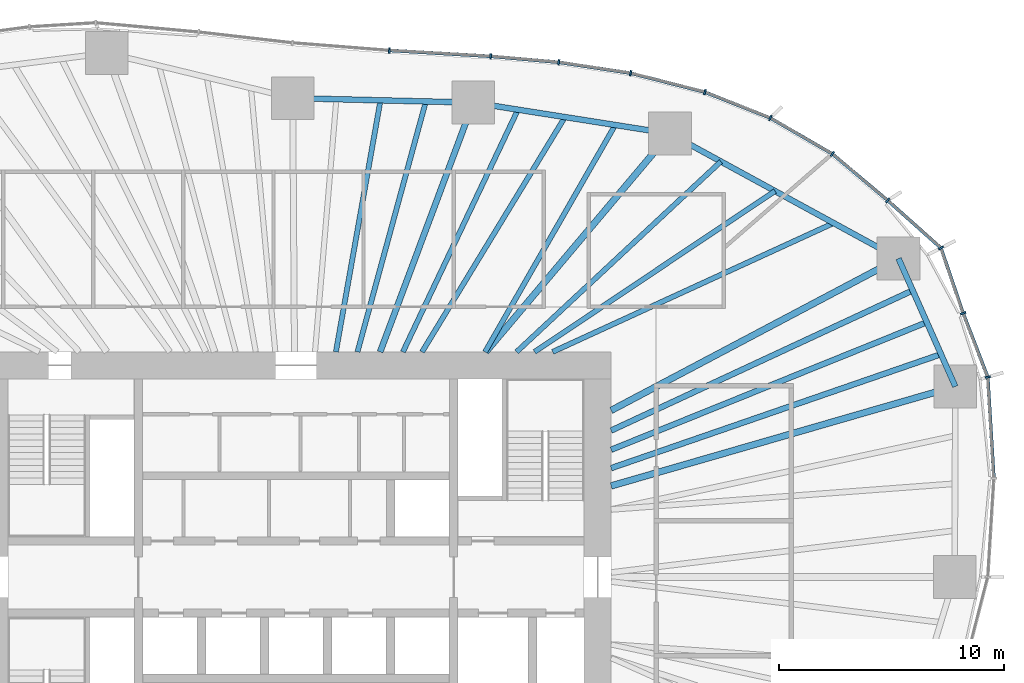
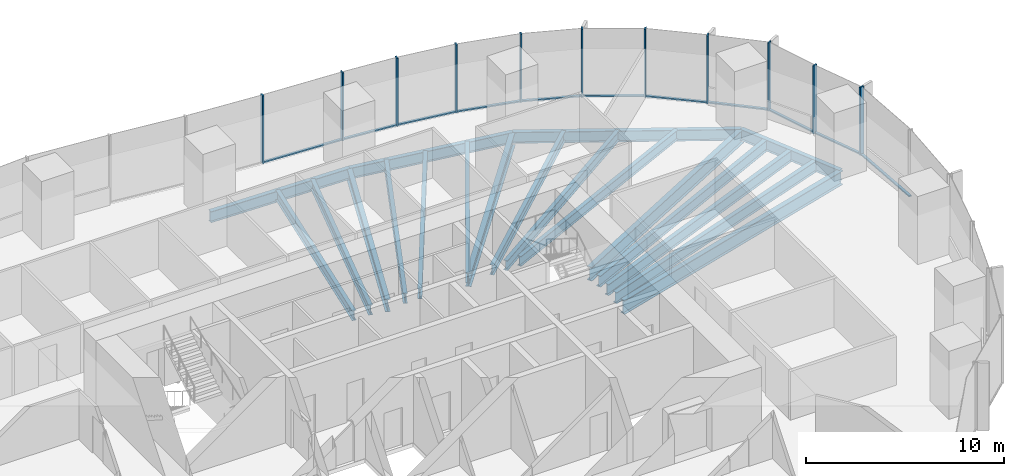
# One storey, part 6 of 20: 22 members, 19 beams, 5 elements without a shape of their own.
"""IFC4 building model written with IfcOpenShell, lengths in metres."""

from ifc_helpers import new_model, si_unit, direction, frame, origin, origin_2d, place, context, subcontext, project, spatial, rectangle, i_section, extrude, material, material_profile, profile_set, type_object, element, aggregate, save


model = new_model("IFC4")

# Units and contexts
model_context = context("Model", 3, precision=1e-05, world=origin(), true_north=direction((0.0, 1.0)))
body_context = subcontext(model_context, "Body", "Model", "MODEL_VIEW")
ifc_project = project(units=[si_unit("LENGTHUNIT", "METRE"), si_unit("AREAUNIT", "SQUARE_METRE"), si_unit("VOLUMEUNIT", "CUBIC_METRE"), si_unit("PLANEANGLEUNIT", "RADIAN"), si_unit("MASSUNIT", "GRAM", prefix="KILO")], contexts=[model_context])

# Site, building, storey
site_placement = place(None, origin())
site = spatial("IfcSite", under=ifc_project, at=site_placement, CompositionType="ELEMENT")
building_placement = place(site_placement, origin())
building = spatial("IfcBuilding", under=site, at=building_placement, Name="Ghaith Harvest Tower", CompositionType="ELEMENT")
storey_placement = place(building_placement, frame((0.0, 0.0, 109.199951171875)))
storey = spatial("IfcBuildingStorey", under=building, at=storey_placement, Name="L22", CompositionType="ELEMENT", Elevation=109.199951171875)

# Curtain wall, members
ifc_material_1 = material(Name="Black anodised aluminium and fritted glass", Category="aluminium")
curtain_wall_type = type_object("IfcCurtainWallType", Name="CW-L CURTAIN WALL", PredefinedType="NOTDEFINED", material=ifc_material_1)
curtain_wall_1_placement = place(storey_placement, origin())
curtain_wall_1 = element("IfcCurtainWall", 1, at=curtain_wall_1_placement, inside=storey, type_object=curtain_wall_type, Name="Curtain wall CW-L bay 02 L22", PredefinedType="NOTDEFINED")
ifc_material_2 = material(Name="Aluminium, black anodised", Category="aluminium")
ifc_material_profile_1 = material_profile(ifc_material_2, rectangle(XDim=0.080078125, YDim=0.239990234375, at=origin_2d()), Name="CW-L MULLION 80x240")
ifc_profile_set_1 = profile_set([ifc_material_profile_1], Name="Aluminium, black anodised")
member_type_1 = type_object("IfcMemberType", Name="CW-L MULLION 80x240", PredefinedType="MULLION", material=ifc_profile_set_1)
member_1_placement = place(storey_placement, frame((30.727294921875, 8.880859375, 0.0), z_axis=(0.0, 0.0, 1.0), x_axis=(-0.183070248196, 0.983099834313, 0.0)))
member_1 = element("IfcMember", 2, at=member_1_placement, type_object=member_type_1, Name="CW-L mullion 1 bay 02 L22", PredefinedType="MULLION", context=body_context, shape_type="SweptSolid", body=[
    extrude(rectangle(XDim=0.080078125, YDim=0.239990234375, at=origin_2d()), origin(), (0.0, 0.0, 1.0), 4.199951171875),
])
member_2_placement = place(storey_placement, frame((29.634521484375, 11.7158203125, 0.0), z_axis=(0.0, 0.0, 1.0), x_axis=(-0.340771198528, 0.940146260033, 0.0)))
member_2 = element("IfcMember", 3, at=member_2_placement, type_object=member_type_1, Name="CW-L mullion 2 bay 02 L22", PredefinedType="MULLION", context=body_context, shape_type="SweptSolid", body=[
    extrude(rectangle(XDim=0.080078125, YDim=0.239990234375, at=origin_2d()), origin(), (0.0, 0.0, 1.0), 4.199951171875),
])
member_3_placement = place(storey_placement, frame((28.64990234375, 14.61181640625, 0.0), z_axis=(0.0, 0.0, 1.0), x_axis=(-0.556324287652, 0.830965274225, 0.0)))
member_3 = element("IfcMember", 4, at=member_3_placement, type_object=member_type_1, Name="CW-L mullion 3 bay 02 L22", PredefinedType="MULLION", context=body_context, shape_type="SweptSolid", body=[
    extrude(rectangle(XDim=0.080078125, YDim=0.239990234375, at=origin_2d()), origin(), (0.0, 0.0, 1.0), 4.199951171875),
])

curtain_wall_2_placement = place(storey_placement, origin())
curtain_wall_2 = element("IfcCurtainWall", 5, at=curtain_wall_2_placement, inside=storey, type_object=curtain_wall_type, Name="Curtain wall CW-L bay 03 L22", PredefinedType="NOTDEFINED")
member_4_placement = place(storey_placement, frame((26.28076171875, 16.725341796875, 0.0), z_axis=(0.0, 0.0, 1.0), x_axis=(-0.755999423268, 0.654572281737, 0.0)))
member_4 = element("IfcMember", 6, at=member_4_placement, type_object=member_type_1, Name="CW-L mullion 1 bay 03 L22", PredefinedType="MULLION", context=body_context, shape_type="SweptSolid", body=[
    extrude(rectangle(XDim=0.080078125, YDim=0.239990234375, at=origin_2d()), origin(), (0.0, 0.0, 1.0), 4.199951171875),
])
member_5_placement = place(storey_placement, frame((23.82177734375, 18.792236328125, 0.0), z_axis=(0.0, 0.0, 1.0), x_axis=(-0.818228862146, 0.574892624018, 0.0)))
member_5 = element("IfcMember", 7, at=member_5_placement, type_object=member_type_1, Name="CW-L mullion 2 bay 03 L22", PredefinedType="MULLION", context=body_context, shape_type="SweptSolid", body=[
    extrude(rectangle(XDim=0.080078125, YDim=0.239990234375, at=origin_2d()), origin(), (0.0, 0.0, 1.0), 4.199951171875),
])
member_6_placement = place(storey_placement, frame((21.066162109375, 20.38916015625, 0.0), z_axis=(0.0, 0.0, 1.0), x_axis=(-0.899713343282, 0.436481270985, 0.0)))
member_6 = element("IfcMember", 8, at=member_6_placement, type_object=member_type_1, Name="CW-L mullion 3 bay 03 L22", PredefinedType="MULLION", context=body_context, shape_type="SweptSolid", body=[
    extrude(rectangle(XDim=0.080078125, YDim=0.239990234375, at=origin_2d()), origin(), (0.0, 0.0, 1.0), 4.199951171875),
])

curtain_wall_3_placement = place(storey_placement, origin())
curtain_wall_3 = element("IfcCurtainWall", 9, at=curtain_wall_3_placement, inside=storey, type_object=curtain_wall_type, Name="Curtain wall CW-L bay 04 L22", PredefinedType="NOTDEFINED")
member_7_placement = place(storey_placement, frame((18.162353515625, 21.537841796875, 0.0), z_axis=(0.0, 0.0, 1.0), x_axis=(-0.952152258113, 0.30562407852, 0.0)))
member_7 = element("IfcMember", 10, at=member_7_placement, type_object=member_type_1, Name="CW-L mullion 1 bay 04 L22", PredefinedType="MULLION", context=body_context, shape_type="SweptSolid", body=[
    extrude(rectangle(XDim=0.080078125, YDim=0.239990234375, at=origin_2d()), origin(), (0.0, 0.0, 1.0), 4.199951171875),
])
member_8_placement = place(storey_placement, frame((14.86474609375, 22.379638671875, 0.0), z_axis=(0.0, 0.0, 1.0), x_axis=(-0.979751952122, 0.200215165041, 0.0)))
member_8 = element("IfcMember", 11, at=member_8_placement, type_object=member_type_1, Name="CW-L mullion 2 bay 04 L22", PredefinedType="MULLION", context=body_context, shape_type="SweptSolid", body=[
    extrude(rectangle(XDim=0.080078125, YDim=0.239990234375, at=origin_2d()), origin(), (0.0, 0.0, 1.0), 4.199951171875),
])
member_9_placement = place(storey_placement, frame((11.672607421875, 22.864013671875, 0.0), z_axis=(0.0, 0.0, 1.0), x_axis=(-0.992800497873, 0.119779678673, 0.0)))
member_9 = element("IfcMember", 12, at=member_9_placement, type_object=member_type_1, Name="CW-L mullion 3 bay 04 L22", PredefinedType="MULLION", context=body_context, shape_type="SweptSolid", body=[
    extrude(rectangle(XDim=0.080078125, YDim=0.239990234375, at=origin_2d()), origin(), (0.0, 0.0, 1.0), 4.199951171875),
])

curtain_wall_4_placement = place(storey_placement, origin())
curtain_wall_4 = element("IfcCurtainWall", 13, at=curtain_wall_4_placement, inside=storey, type_object=curtain_wall_type, Name="Curtain wall CW-L bay 05 L22", PredefinedType="NOTDEFINED")
member_10_placement = place(storey_placement, frame((8.646728515625, 23.1298828125, 0.0), z_axis=(0.0, 0.0, 1.0), x_axis=(-0.997558767319, 0.069831982257, 0.0)))
member_10 = element("IfcMember", 14, at=member_10_placement, type_object=member_type_1, Name="CW-L mullion 1 bay 05 L22", PredefinedType="MULLION", context=body_context, shape_type="SweptSolid", body=[
    extrude(rectangle(XDim=0.080078125, YDim=0.239990234375, at=origin_2d()), origin(), (0.0, 0.0, 1.0), 4.199951171875),
])
member_11_placement = place(storey_placement, frame((4.146728515625, 23.390869140625, 0.0), z_axis=(0.0, 0.0, 1.0), x_axis=(-0.997689895047, 0.067932858925, 0.0)))
member_11 = element("IfcMember", 15, at=member_11_placement, type_object=member_type_1, Name="CW-L mullion 2 bay 05 L22", PredefinedType="MULLION", context=body_context, shape_type="SweptSolid", body=[
    extrude(rectangle(XDim=0.080078125, YDim=0.239990234375, at=origin_2d()), origin(), (0.0, 0.0, 1.0), 4.199951171875),
])

# Curtain wall, member
curtain_wall_5_placement = place(storey_placement, origin())
curtain_wall_5 = element("IfcCurtainWall", 16, at=curtain_wall_5_placement, inside=storey, type_object=curtain_wall_type, Name="Curtain wall CW-L bay 01 L22", PredefinedType="NOTDEFINED")
ifc_material_3 = material(Name="Aluminium, black anodised", Category="aluminium")
ifc_material_profile_2 = material_profile(ifc_material_3, rectangle(XDim=0.14990234375, YDim=0.080078125, at=origin_2d()), Name="CW-L TRANSOM 150x80")
ifc_profile_set_2 = profile_set([ifc_material_profile_2], Name="Aluminium, black anodised")
member_type_2 = type_object("IfcMemberType", Name="CW-L TRANSOM 150x80", PredefinedType="USERDEFINED", material=ifc_profile_set_2)
member_12_placement = place(storey_placement, frame((30.996337890625, 4.4296875, 0.0400390625), z_axis=(-0.060328261132, 0.99817859169, 0.0), x_axis=(-0.99817859169, -0.060328261132, 0.0)))
member_12 = element("IfcMember", 17, at=member_12_placement, type_object=member_type_2, Name="CW-L transom 2 bay 01 L22", ObjectType="TRANSOM", PredefinedType="USERDEFINED", context=body_context, shape_type="SweptSolid", body=[
    extrude(rectangle(XDim=0.14990234375, YDim=0.080078125, at=origin_2d()), origin(), (0.0, 0.0, 1.0), 4.419189453125),
])
aggregate(curtain_wall_5, [member_12])

# Member
member_13_placement = place(storey_placement, frame((30.712890625, 8.918212890625, 0.0400390625), z_axis=(-0.359637050526, 0.933092274048, 0.0), x_axis=(-0.933092274048, -0.359637050526, 0.0)))
member_13 = element("IfcMember", 18, at=member_13_placement, type_object=member_type_2, Name="CW-L transom 1 bay 02 L22", ObjectType="TRANSOM", PredefinedType="USERDEFINED", context=body_context, shape_type="SweptSolid", body=[
    extrude(rectangle(XDim=0.14990234375, YDim=0.080078125, at=origin_2d()), origin(), (0.0, 0.0, 1.0), 2.95849609375),
])

member_14_placement = place(storey_placement, frame((29.62158203125, 11.75390625, 0.0400390625), z_axis=(-0.321877752664, 0.946781237847, 0.0), x_axis=(-0.946781237847, -0.321877752664, 0.0)))
member_14 = element("IfcMember", 19, at=member_14_placement, type_object=member_type_2, Name="CW-L transom 2 bay 02 L22", ObjectType="TRANSOM", PredefinedType="USERDEFINED", context=body_context, shape_type="SweptSolid", body=[
    extrude(rectangle(XDim=0.14990234375, YDim=0.080078125, at=origin_2d()), origin(), (0.0, 0.0, 1.0), 2.978515625),
])

member_15_placement = place(storey_placement, frame((28.6201171875, 14.638427734375, 0.0400390625), z_axis=(-0.74622871112, 0.665689650438, 0.0), x_axis=(-0.665689650438, -0.74622871112, 0.0)))
member_15 = element("IfcMember", 20, at=member_15_placement, type_object=member_type_2, Name="CW-L transom 3 bay 02 L22", ObjectType="TRANSOM", PredefinedType="USERDEFINED", context=body_context, shape_type="SweptSolid", body=[
    extrude(rectangle(XDim=0.14990234375, YDim=0.080078125, at=origin_2d()), origin(), (0.0, 0.0, 1.0), 3.094970703125),
])

aggregate(curtain_wall_1, [member_1, member_13, member_2, member_14, member_3, member_15])

member_16_placement = place(storey_placement, frame((26.25, 16.7509765625, 0.0400390625), z_axis=(-0.765428400685, 0.643521066808, 0.0), x_axis=(-0.643521066808, -0.765428400685, 0.0)))
member_16 = element("IfcMember", 21, at=member_16_placement, type_object=member_type_2, Name="CW-L transom 1 bay 03 L22", ObjectType="TRANSOM", PredefinedType="USERDEFINED", context=body_context, shape_type="SweptSolid", body=[
    extrude(rectangle(XDim=0.14990234375, YDim=0.080078125, at=origin_2d()), origin(), (0.0, 0.0, 1.0), 3.132080078125),
])

member_17_placement = place(storey_placement, frame((23.787353515625, 18.812255859375, 0.0400390625), z_axis=(-0.865212673937, 0.50140505468, 0.0), x_axis=(-0.50140505468, -0.865212673937, 0.0)))
member_17 = element("IfcMember", 22, at=member_17_placement, type_object=member_type_2, Name="CW-L transom 2 bay 03 L22", ObjectType="TRANSOM", PredefinedType="USERDEFINED", context=body_context, shape_type="SweptSolid", body=[
    extrude(rectangle(XDim=0.14990234375, YDim=0.080078125, at=origin_2d()), origin(), (0.0, 0.0, 1.0), 3.10498046875),
])

member_18_placement = place(storey_placement, frame((21.029052734375, 20.40380859375, 0.0400390625), z_axis=(-0.929880954826, 0.367860584804, 0.0), x_axis=(-0.367860584804, -0.929880954826, 0.0)))
member_18 = element("IfcMember", 23, at=member_18_placement, type_object=member_type_2, Name="CW-L transom 3 bay 03 L22", ObjectType="TRANSOM", PredefinedType="USERDEFINED", context=body_context, shape_type="SweptSolid", body=[
    extrude(rectangle(XDim=0.14990234375, YDim=0.080078125, at=origin_2d()), origin(), (0.0, 0.0, 1.0), 3.04296875),
])

aggregate(curtain_wall_2, [member_4, member_16, member_5, member_17, member_6, member_18])

member_19_placement = place(storey_placement, frame((18.12353515625, 21.5478515625, 0.0400390625), z_axis=(-0.968942433805, 0.247286392614, 0.0), x_axis=(-0.247286392614, -0.968942433805, 0.0)))
member_19 = element("IfcMember", 24, at=member_19_placement, type_object=member_type_2, Name="CW-L transom 1 bay 04 L22", ObjectType="TRANSOM", PredefinedType="USERDEFINED", context=body_context, shape_type="SweptSolid", body=[
    extrude(rectangle(XDim=0.14990234375, YDim=0.080078125, at=origin_2d()), origin(), (0.0, 0.0, 1.0), 3.3232421875),
])

member_20_placement = place(storey_placement, frame((14.8251953125, 22.3857421875, 0.0400390625), z_axis=(-0.988680676153, 0.150035064572, 0.0), x_axis=(-0.150035064572, -0.988680676153, 0.0)))
member_20 = element("IfcMember", 25, at=member_20_placement, type_object=member_type_2, Name="CW-L transom 2 bay 04 L22", ObjectType="TRANSOM", PredefinedType="USERDEFINED", context=body_context, shape_type="SweptSolid", body=[
    extrude(rectangle(XDim=0.14990234375, YDim=0.080078125, at=origin_2d()), origin(), (0.0, 0.0, 1.0), 3.148681640625),
])

member_21_placement = place(storey_placement, frame((11.632568359375, 22.86767578125, 0.0400390625), z_axis=(-0.996171193061, 0.087423990507, 0.0), x_axis=(-0.087423990507, -0.996171193061, 0.0)))
member_21 = element("IfcMember", 26, at=member_21_placement, type_object=member_type_2, Name="CW-L transom 3 bay 04 L22", ObjectType="TRANSOM", PredefinedType="USERDEFINED", context=body_context, shape_type="SweptSolid", body=[
    extrude(rectangle(XDim=0.14990234375, YDim=0.080078125, at=origin_2d()), origin(), (0.0, 0.0, 1.0), 2.957275390625),
])

aggregate(curtain_wall_3, [member_7, member_19, member_8, member_20, member_9, member_21])

member_22_placement = place(storey_placement, frame((8.60693359375, 23.132080078125, 0.0400390625), z_axis=(-0.998319515187, 0.057949509028, 0.0), x_axis=(-0.057949509028, -0.998319515187, 0.0)))
member_22 = element("IfcMember", 27, at=member_22_placement, type_object=member_type_2, Name="CW-L transom 1 bay 05 L22", ObjectType="TRANSOM", PredefinedType="USERDEFINED", context=body_context, shape_type="SweptSolid", body=[
    extrude(rectangle(XDim=0.14990234375, YDim=0.080078125, at=origin_2d()), origin(), (0.0, 0.0, 1.0), 4.427734375),
])

aggregate(curtain_wall_4, [member_10, member_22, member_11])

# Beams
ifc_material_4 = material(Name="Steel ASTM A992 Grade 50", Category="steel")
ifc_material_profile_3 = material_profile(ifc_material_4, i_section(OverallWidth=0.25390625, OverallDepth=0.68408203125, WebThickness=0.012451171875, FlangeThickness=0.018798828125, at=origin_2d()), Name="W690X140")
ifc_profile_set_3 = profile_set([ifc_material_profile_3], Name="Steel ASTM A992 Grade 50")
beam_type_1 = type_object("IfcBeamType", Name="E690-140 W690X140", PredefinedType="SPANDREL", material=ifc_profile_set_3)
beam_1_placement = place(storey_placement, frame((29.285888671875, 8.464111328125, -0.511962890625), z_axis=(-0.405635615749, 0.914034872002, 0.0), x_axis=(-0.914034872002, -0.405635615749, 0.0)))
element("IfcBeam", 28, at=beam_1_placement, inside=storey, type_object=beam_type_1, Name="Edge beam E02 L22", PredefinedType="SPANDREL", context=body_context, shape_type="SweptSolid", body=[
    extrude(i_section(OverallWidth=0.25390625, OverallDepth=0.68408203125, WebThickness=0.012451171875, FlangeThickness=0.018798828125, at=origin_2d()), origin(), (0.0, 0.0, 1.0), 6.21728515625),
])
beam_2_placement = place(storey_placement, frame((26.763916015625, 14.14697265625, -0.511962890625), z_axis=(-0.877588218279, 0.479415184509, 0.0), x_axis=(-0.479415184509, -0.877588218279, 0.0)))
element("IfcBeam", 29, at=beam_2_placement, inside=storey, type_object=beam_type_1, Name="Edge beam E03 L22", PredefinedType="SPANDREL", context=body_context, shape_type="SweptSolid", body=[
    extrude(i_section(OverallWidth=0.25390625, OverallDepth=0.68408203125, WebThickness=0.012451171875, FlangeThickness=0.018798828125, at=origin_2d()), origin(), (0.0, 0.0, 1.0), 11.57275390625),
])
beam_3_placement = place(storey_placement, frame((16.60791015625, 19.695068359375, -0.511962890625), z_axis=(-0.987788485872, 0.155800857439, 0.0), x_axis=(-0.155800857439, -0.987788485872, 0.0)))
element("IfcBeam", 30, at=beam_3_placement, inside=storey, type_object=beam_type_1, Name="Edge beam E04 L22", PredefinedType="SPANDREL", context=body_context, shape_type="SweptSolid", body=[
    extrude(i_section(OverallWidth=0.25390625, OverallDepth=0.68408203125, WebThickness=0.012451171875, FlangeThickness=0.018798828125, at=origin_2d()), origin(), (0.0, 0.0, 1.0), 8.837890625),
])
beam_4_placement = place(storey_placement, frame((7.8779296875, 21.072021484375, -0.511962890625), z_axis=(-0.999692679676, 0.024790042413, 0.0), x_axis=(-0.024790042413, -0.999692679676, 0.0)))
element("IfcBeam", 31, at=beam_4_placement, inside=storey, type_object=beam_type_1, Name="Edge beam E05 L22", PredefinedType="SPANDREL", context=body_context, shape_type="SweptSolid", body=[
    extrude(i_section(OverallWidth=0.25390625, OverallDepth=0.68408203125, WebThickness=0.012451171875, FlangeThickness=0.018798828125, at=origin_2d()), origin(), (0.0, 0.0, 1.0), 8.0263671875),
])
ifc_material_5 = material(Name="Steel ASTM A992 Grade 50", Category="steel")
ifc_material_profile_4 = material_profile(ifc_material_5, i_section(OverallWidth=0.26806640625, OverallDepth=0.77001953125, WebThickness=0.015625, FlangeThickness=0.025390625, at=origin_2d()), Name="W760X196")
ifc_profile_set_4 = profile_set([ifc_material_profile_4], Name="Steel ASTM A992 Grade 50")
beam_type_2 = type_object("IfcBeamType", Name="G760-196 W760X196", PredefinedType="BEAM", material=ifc_profile_set_4)
beam_5_placement = place(storey_placement, frame((3.73828125, 10.0, -0.554931640625), z_axis=(0.350206582147, 0.936672488024, 0.0), x_axis=(-0.936672488024, 0.350206582147, 0.0)))
element("IfcBeam", 32, at=beam_5_placement, inside=storey, type_object=beam_type_2, Name="Radial girder G05 L22", PredefinedType="BEAM", context=body_context, shape_type="SweptSolid", body=[
    extrude(i_section(OverallWidth=0.26806640625, OverallDepth=0.77001953125, WebThickness=0.015625, FlangeThickness=0.025390625, at=origin_2d()), origin(), (0.0, 0.0, 1.0), 11.820556640625),
])
ifc_material_6 = material(Name="Steel ASTM A992 Grade 50", Category="steel")
ifc_material_profile_5 = material_profile(ifc_material_6, i_section(OverallWidth=0.2939453125, OverallDepth=0.85107421875, WebThickness=0.01611328125, FlangeThickness=0.02685546875, at=origin_2d()), Name="W840X226")
ifc_profile_set_5 = profile_set([ifc_material_profile_5], Name="Steel ASTM A992 Grade 50")
beam_type_3 = type_object("IfcBeamType", Name="G840-226 W840X226", PredefinedType="BEAM", material=ifc_profile_set_5)
beam_6_placement = place(storey_placement, frame((14.0, 4.04638671875, -0.595458984375), z_axis=(0.960683993303, 0.27764413376, 0.0), x_axis=(-0.27764413376, 0.960683993303, 0.0)))
element("IfcBeam", 33, at=beam_6_placement, inside=storey, type_object=beam_type_3, Name="Radial girder G02 L22", PredefinedType="BEAM", context=body_context, shape_type="SweptSolid", body=[
    extrude(i_section(OverallWidth=0.2939453125, OverallDepth=0.85107421875, WebThickness=0.01611328125, FlangeThickness=0.02685546875, at=origin_2d()), origin(), (0.0, 0.0, 1.0), 15.911376953125),
])
beam_7_placement = place(storey_placement, frame((14.0, 7.39990234375, -0.595458984375), z_axis=(0.884082663971, 0.467330550324, 0.0), x_axis=(-0.467330550324, 0.884082663971, 0.0)))
element("IfcBeam", 34, at=beam_7_placement, inside=storey, type_object=beam_type_3, Name="Radial girder G03 L22", PredefinedType="BEAM", context=body_context, shape_type="SweptSolid", body=[
    extrude(i_section(OverallWidth=0.2939453125, OverallDepth=0.85107421875, WebThickness=0.01611328125, FlangeThickness=0.02685546875, at=origin_2d()), origin(), (0.0, 0.0, 1.0), 14.4375),
])
beam_8_placement = place(storey_placement, frame((8.4326171875, 10.0, -0.595458984375), z_axis=(0.644644245772, 0.764482698557, 0.0), x_axis=(-0.764482698557, 0.644644245772, 0.0)))
element("IfcBeam", 35, at=beam_8_placement, inside=storey, type_object=beam_type_3, Name="Radial girder G04 L22", PredefinedType="BEAM", context=body_context, shape_type="SweptSolid", body=[
    extrude(i_section(OverallWidth=0.2939453125, OverallDepth=0.85107421875, WebThickness=0.01611328125, FlangeThickness=0.02685546875, at=origin_2d()), origin(), (0.0, 0.0, 1.0), 12.681884765625),
])
ifc_material_7 = material(Name="Steel ASTM A992 Grade 50", Category="steel")
ifc_material_profile_6 = material_profile(ifc_material_7, i_section(OverallWidth=0.22900390625, OverallDepth=0.612060546875, WebThickness=0.011962890625, FlangeThickness=0.01953125, at=origin_2d()), Name="W610X125")
ifc_profile_set_6 = profile_set([ifc_material_profile_6], Name="Steel ASTM A992 Grade 50")
beam_type_4 = type_object("IfcBeamType", Name="J610-125 W610X125", PredefinedType="JOIST", material=ifc_profile_set_6)
beam_9_placement = place(storey_placement, frame((11.39990234375, 10.0, -0.475830078125), z_axis=(0.909014022454, 0.416765529983, 0.0), x_axis=(-0.416765529983, 0.909014022454, 0.0)))
element("IfcBeam", 36, at=beam_9_placement, inside=storey, type_object=beam_type_4, Name="Joist J03.1 L22", PredefinedType="JOIST", context=body_context, shape_type="SweptSolid", body=[
    extrude(i_section(OverallWidth=0.22900390625, OverallDepth=0.612060546875, WebThickness=0.011962890625, FlangeThickness=0.01953125, at=origin_2d()), origin(), (0.0, 0.0, 1.0), 13.72998046875),
])
beam_10_placement = place(storey_placement, frame((10.60009765625, 10.0, -0.475830078125), z_axis=(0.831116486766, 0.556098359489, 0.0), x_axis=(-0.556098359489, 0.831116486766, 0.0)))
element("IfcBeam", 37, at=beam_10_placement, inside=storey, type_object=beam_type_4, Name="Joist J03.2 L22", PredefinedType="JOIST", context=body_context, shape_type="SweptSolid", body=[
    extrude(i_section(OverallWidth=0.22900390625, OverallDepth=0.612060546875, WebThickness=0.011962890625, FlangeThickness=0.01953125, at=origin_2d()), origin(), (0.0, 0.0, 1.0), 12.84716796875),
])
beam_11_placement = place(storey_placement, frame((9.800048828125, 10.0, -0.475830078125), z_axis=(0.731538123562, 0.681800538116, 0.0), x_axis=(-0.681800538116, 0.731538123562, 0.0)))
element("IfcBeam", 38, at=beam_11_placement, inside=storey, type_object=beam_type_4, Name="Joist J03.3 L22", PredefinedType="JOIST", context=body_context, shape_type="SweptSolid", body=[
    extrude(i_section(OverallWidth=0.22900390625, OverallDepth=0.612060546875, WebThickness=0.011962890625, FlangeThickness=0.01953125, at=origin_2d()), origin(), (0.0, 0.0, 1.0), 12.404052734375),
])
beam_12_placement = place(storey_placement, frame((8.39990234375, 10.0, -0.475830078125), z_axis=(0.497444212127, 0.867495968764, 0.0), x_axis=(-0.867495968764, 0.497444212127, 0.0)))
element("IfcBeam", 39, at=beam_12_placement, inside=storey, type_object=beam_type_4, Name="Joist J04.1 L22", PredefinedType="JOIST", context=body_context, shape_type="SweptSolid", body=[
    extrude(i_section(OverallWidth=0.22900390625, OverallDepth=0.612060546875, WebThickness=0.011962890625, FlangeThickness=0.01953125, at=origin_2d()), origin(), (0.0, 0.0, 1.0), 11.617431640625),
])
beam_13_placement = place(storey_placement, frame((5.60009765625, 10.0, -0.475830078125), z_axis=(0.519863845761, 0.854249133374, 0.0), x_axis=(-0.854249133374, 0.519863845761, 0.0)))
element("IfcBeam", 40, at=beam_13_placement, inside=storey, type_object=beam_type_4, Name="Joist J04.2 L22", PredefinedType="JOIST", context=body_context, shape_type="SweptSolid", body=[
    extrude(i_section(OverallWidth=0.22900390625, OverallDepth=0.612060546875, WebThickness=0.011962890625, FlangeThickness=0.01953125, at=origin_2d()), origin(), (0.0, 0.0, 1.0), 12.209716796875),
])
beam_14_placement = place(storey_placement, frame((4.75, 10.0, -0.475830078125), z_axis=(0.429069356877, 0.903271546651, 0.0), x_axis=(-0.903271546651, 0.429069356877, 0.0)))
element("IfcBeam", 41, at=beam_14_placement, inside=storey, type_object=beam_type_4, Name="Joist J04.3 L22", PredefinedType="JOIST", context=body_context, shape_type="SweptSolid", body=[
    extrude(i_section(OverallWidth=0.22900390625, OverallDepth=0.612060546875, WebThickness=0.011962890625, FlangeThickness=0.01953125, at=origin_2d()), origin(), (0.0, 0.0, 1.0), 11.911376953125),
])
beam_15_placement = place(storey_placement, frame((2.73095703125, 10.0, -0.475830078125), z_axis=(0.263455967932, 0.964671422279, 0.0), x_axis=(-0.964671422279, 0.263455967932, 0.0)))
element("IfcBeam", 42, at=beam_15_placement, inside=storey, type_object=beam_type_4, Name="Joist J05.1 L22", PredefinedType="JOIST", context=body_context, shape_type="SweptSolid", body=[
    extrude(i_section(OverallWidth=0.22900390625, OverallDepth=0.612060546875, WebThickness=0.011962890625, FlangeThickness=0.01953125, at=origin_2d()), origin(), (0.0, 0.0, 1.0), 11.53173828125),
])
beam_16_placement = place(storey_placement, frame((1.772705078125, 10.0, -0.475830078125), z_axis=(0.17455599258, 0.984647249249, 0.0), x_axis=(-0.984647249249, 0.17455599258, 0.0)))
element("IfcBeam", 43, at=beam_16_placement, inside=storey, type_object=beam_type_4, Name="Joist J05.2 L22", PredefinedType="JOIST", context=body_context, shape_type="SweptSolid", body=[
    extrude(i_section(OverallWidth=0.22900390625, OverallDepth=0.612060546875, WebThickness=0.011962890625, FlangeThickness=0.01953125, at=origin_2d()), origin(), (0.0, 0.0, 1.0), 11.3486328125),
])
ifc_material_8 = material(Name="Steel ASTM A992 Grade 50", Category="steel")
ifc_material_profile_7 = material_profile(ifc_material_8, i_section(OverallWidth=0.25390625, OverallDepth=0.68408203125, WebThickness=0.012451171875, FlangeThickness=0.018798828125, at=origin_2d()), Name="W690X140")
ifc_profile_set_7 = profile_set([ifc_material_profile_7], Name="Steel ASTM A992 Grade 50")
beam_type_5 = type_object("IfcBeamType", Name="J690-140 W690X140", PredefinedType="JOIST", material=ifc_profile_set_7)
beam_17_placement = place(storey_placement, frame((14.0, 4.835693359375, -0.511962890625), z_axis=(0.945204964965, 0.32647752481, 0.0), x_axis=(-0.32647752481, 0.945204964965, 0.0)))
element("IfcBeam", 44, at=beam_17_placement, inside=storey, type_object=beam_type_5, Name="Joist J02.1 L22", PredefinedType="JOIST", context=body_context, shape_type="SweptSolid", body=[
    extrude(i_section(OverallWidth=0.25390625, OverallDepth=0.68408203125, WebThickness=0.012451171875, FlangeThickness=0.018798828125, at=origin_2d()), origin(), (0.0, 0.0, 1.0), 15.499755859375),
])
beam_18_placement = place(storey_placement, frame((14.0, 5.653564453125, -0.511962890625), z_axis=(0.927247874511, 0.374448099495, 0.0), x_axis=(-0.374448099495, 0.927247874511, 0.0)))
element("IfcBeam", 45, at=beam_18_placement, inside=storey, type_object=beam_type_5, Name="Joist J02.2 L22", PredefinedType="JOIST", context=body_context, shape_type="SweptSolid", body=[
    extrude(i_section(OverallWidth=0.25390625, OverallDepth=0.68408203125, WebThickness=0.012451171875, FlangeThickness=0.018798828125, at=origin_2d()), origin(), (0.0, 0.0, 1.0), 15.12060546875),
])
beam_19_placement = place(storey_placement, frame((14.0, 6.506103515625, -0.511962890625), z_axis=(0.906865717917, 0.42141970726, 0.0), x_axis=(-0.42141970726, 0.906865717917, 0.0)))
element("IfcBeam", 46, at=beam_19_placement, inside=storey, type_object=beam_type_5, Name="Joist J02.3 L22", PredefinedType="JOIST", context=body_context, shape_type="SweptSolid", body=[
    extrude(i_section(OverallWidth=0.25390625, OverallDepth=0.68408203125, WebThickness=0.012451171875, FlangeThickness=0.018798828125, at=origin_2d()), origin(), (0.0, 0.0, 1.0), 14.768310546875),
])

save(model, "model.ifc")
